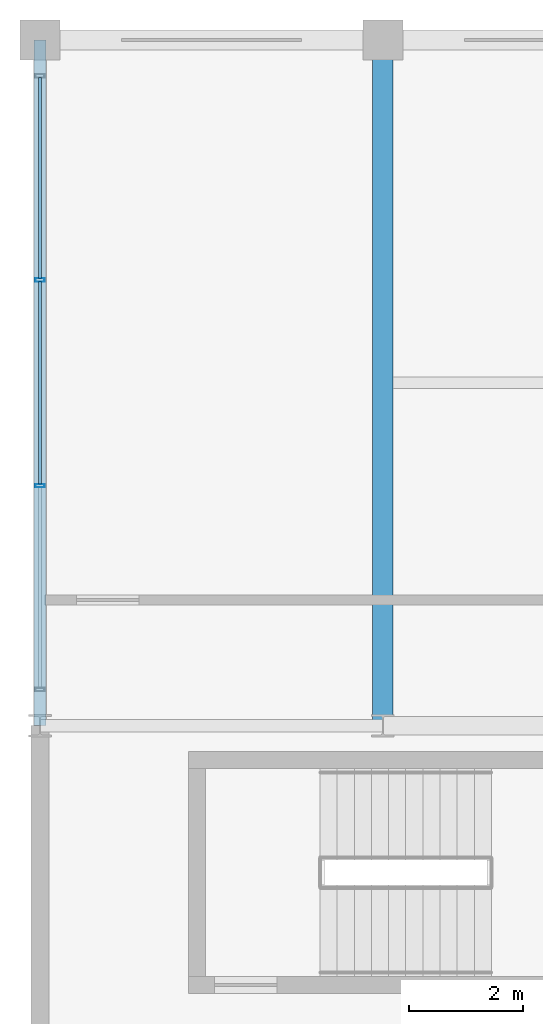
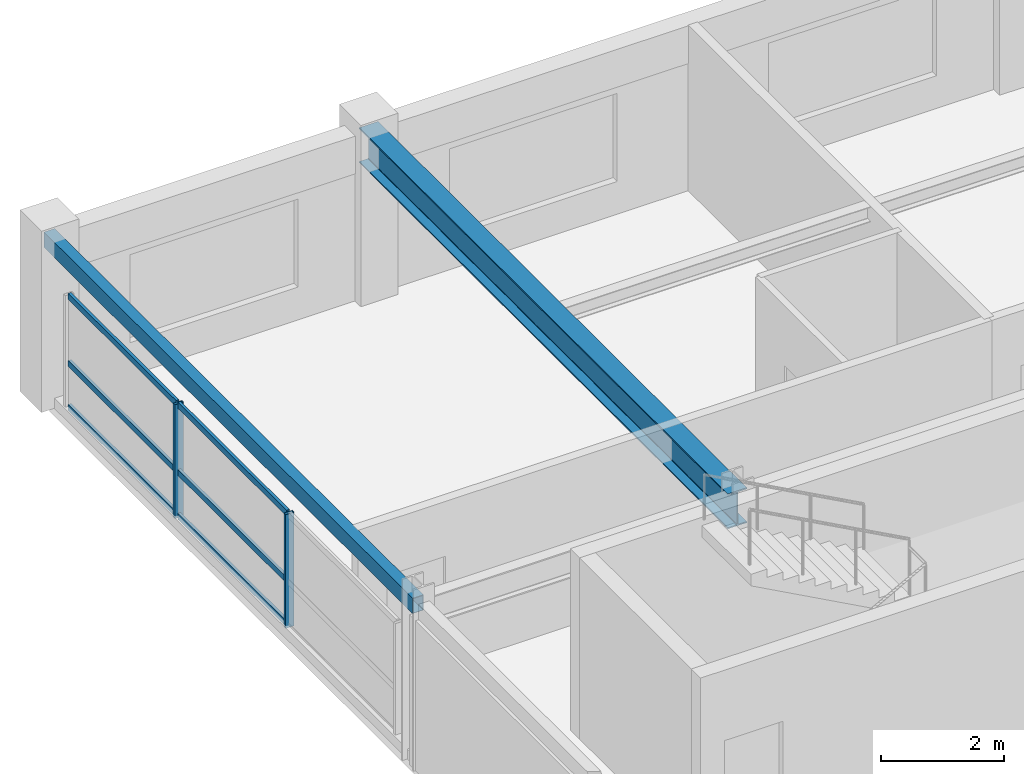
# One storey, part 8 of 22: 8 members, 2 beams, 1 element without a shape of its own.
"""IFC4 building model written with IfcOpenShell, lengths in metres."""

from ifc_helpers import new_model, si_unit, direction, frame, origin, origin_2d, place, context, subcontext, project, spatial, hollow_rectangle, i_section, extrude, material, material_profile, profile_set, type_object, element, aggregate, save


model = new_model("IFC4")

# Units and contexts
model_context = context("Model", 3, precision=1e-05, world=origin(), true_north=direction((0.0, 1.0)))
body_context = subcontext(model_context, "Body", "Model", "MODEL_VIEW")
ifc_project = project(units=[si_unit("LENGTHUNIT", "METRE"), si_unit("AREAUNIT", "SQUARE_METRE"), si_unit("VOLUMEUNIT", "CUBIC_METRE"), si_unit("PLANEANGLEUNIT", "RADIAN"), si_unit("MASSUNIT", "GRAM", prefix="KILO")], contexts=[model_context])

# Site, building, storey
site_placement = place(None, origin())
site = spatial("IfcSite", under=ifc_project, at=site_placement, CompositionType="ELEMENT")
building_placement = place(site_placement, origin())
building = spatial("IfcBuilding", under=site, at=building_placement, Name="Kaldorvane Square Convention Centre", CompositionType="ELEMENT")
storey_placement = place(building_placement, frame((0.0, 0.0, 63.600006103515625)))
storey = spatial("IfcBuildingStorey", under=building, at=storey_placement, Name="L15", CompositionType="ELEMENT", Elevation=63.600006103515625)

# Beams
ifc_material_1 = material(Name="Steel ASTM A992 Gr. 50", Category="steel")
ifc_material_profile_1 = material_profile(ifc_material_1, i_section(OverallWidth=0.354705810546875, OverallDepth=0.69549560546875, WebThickness=0.0153961181640625, FlangeThickness=0.0251007080078125, FilletRadius=0.01519775390625, at=origin_2d()), Name="W27X146")
ifc_profile_set_1 = profile_set([ifc_material_profile_1], Name="Steel ASTM A992 Gr. 50")
beam_type_1 = type_object("IfcBeamType", Name="BM-GR-W27X146", PredefinedType="BEAM", material=ifc_profile_set_1)
beam_1_placement = place(storey_placement, frame((42.0, 105.0, 2.9381866455078125), z_axis=(0.0, 1.0, 0.0), x_axis=(-1.0, 0.0, 0.0)))
element("IfcBeam", 1, at=beam_1_placement, inside=storey, type_object=beam_type_1, Name="Transverse Girder (L15)", PredefinedType="BEAM", context=body_context, shape_type="SweptSolid", body=[
    extrude(i_section(OverallWidth=0.354705810546875, OverallDepth=0.69549560546875, WebThickness=0.0153961181640625, FlangeThickness=0.0251007080078125, FilletRadius=0.01519775390625, at=origin_2d()), origin(), (0.0, 0.0, 1.0), 12.0),
])
ifc_material_2 = material(Name="Steel ASTM A500 Gr. C", Category="steel")
ifc_material_profile_2 = material_profile(ifc_material_2, hollow_rectangle(XDim=0.2032012939453125, YDim=0.3047943115234375, WallThickness=0.0088958740234375, at=origin_2d()), Name="HSS12X8X3/8")
ifc_profile_set_2 = profile_set([ifc_material_profile_2], Name="Steel ASTM A500 Gr. C")
beam_type_2 = type_object("IfcBeamType", Name="BM-SP-HSS12", PredefinedType="SPANDREL", material=ifc_profile_set_2)
beam_2_placement = place(storey_placement, frame((36.0, 105.0, 3.1335906982421875), z_axis=(0.0, 1.0, 0.0), x_axis=(-1.0, 0.0, 0.0)))
element("IfcBeam", 2, at=beam_2_placement, inside=storey, type_object=beam_type_2, Name="End Spandrel (L15)", PredefinedType="SPANDREL", context=body_context, shape_type="SweptSolid", body=[
    extrude(hollow_rectangle(XDim=0.2032012939453125, YDim=0.3047943115234375, WallThickness=0.0088958740234375, at=origin_2d()), origin(), (0.0, 0.0, 1.0), 12.0),
])

# Curtain wall, members
ifc_material_3 = material(Name="Anodized Aluminum and Low-E Insulated Glazing", Category="aluminium")
curtain_wall_type = type_object("IfcCurtainWallType", Name="CW-UNI-HTL-B", PredefinedType="USERDEFINED", material=ifc_material_3)
curtain_wall_placement = place(storey_placement, origin())
curtain_wall = element("IfcCurtainWall", 3, at=curtain_wall_placement, inside=storey, type_object=curtain_wall_type, Name="Curtain Wall CW-11 (L15)", ObjectType="UNITISED GLAZING", PredefinedType="USERDEFINED")
ifc_material_profile_3 = material_profile(ifc_material_3, hollow_rectangle(XDim=0.05999755859375, YDim=0.160003662109375, WallThickness=0.003204345703125, at=origin_2d()), Name="CWM-160X60")
ifc_profile_set_3 = profile_set([ifc_material_profile_3], Name="Anodized Aluminum and Low-E Insulated Glazing")
member_type_1 = type_object("IfcMemberType", Name="CW-MUL-160", PredefinedType="MULLION", material=ifc_profile_set_3)
member_1_placement = place(storey_placement, frame((36.0, 112.80000305175781, 0.149993896484375), z_axis=(0.0, 0.0, 1.0), x_axis=(0.0, -1.0, 0.0)))
member_1 = element("IfcMember", 4, at=member_1_placement, type_object=member_type_1, Name="CW-11 mullion 2", PredefinedType="MULLION", context=body_context, shape_type="SweptSolid", body=[
    extrude(hollow_rectangle(XDim=0.05999755859375, YDim=0.160003662109375, WallThickness=0.003204345703125, at=origin_2d()), origin(), (0.0, 0.0, 1.0), 2.2599945068359375),
])
member_2_placement = place(storey_placement, frame((36.0, 109.19999694824219, 0.149993896484375), z_axis=(0.0, 0.0, 1.0), x_axis=(0.0, -1.0, 0.0)))
member_2 = element("IfcMember", 5, at=member_2_placement, type_object=member_type_1, Name="CW-11 mullion 3", PredefinedType="MULLION", context=body_context, shape_type="SweptSolid", body=[
    extrude(hollow_rectangle(XDim=0.05999755859375, YDim=0.160003662109375, WallThickness=0.003204345703125, at=origin_2d()), origin(), (0.0, 0.0, 1.0), 2.2599945068359375),
])
ifc_material_profile_4 = material_profile(ifc_material_3, hollow_rectangle(XDim=0.05499267578125, YDim=0.1199951171875, WallThickness=0.0030059814453125, at=origin_2d()), Name="CWT-120X55")
ifc_profile_set_4 = profile_set([ifc_material_profile_4], Name="Anodized Aluminum and Low-E Insulated Glazing")
member_type_2 = type_object("IfcMemberType", Name="CW-TRN-120", PredefinedType="USERDEFINED", material=ifc_profile_set_4)
member_3_placement = place(storey_placement, frame((36.0, 116.33999633789062, 0.177490234375), z_axis=(0.0, -1.0, 0.0), x_axis=(1.0, 0.0, 0.0)))
member_3 = element("IfcMember", 6, at=member_3_placement, type_object=member_type_2, Name="CW-11 transom 1.1", ObjectType="TRANSOM", PredefinedType="USERDEFINED", context=body_context, shape_type="SweptSolid", body=[
    extrude(hollow_rectangle(XDim=0.05499267578125, YDim=0.1199951171875, WallThickness=0.0030059814453125, at=origin_2d()), origin(), (0.0, 0.0, 1.0), 3.5099945068359375),
])
member_4_placement = place(storey_placement, frame((36.0, 116.33999633789062, 1.04998779296875), z_axis=(0.0, -1.0, 0.0), x_axis=(1.0, 0.0, 0.0)))
member_4 = element("IfcMember", 7, at=member_4_placement, type_object=member_type_2, Name="CW-11 transom 1.2", ObjectType="TRANSOM", PredefinedType="USERDEFINED", context=body_context, shape_type="SweptSolid", body=[
    extrude(hollow_rectangle(XDim=0.05499267578125, YDim=0.1199951171875, WallThickness=0.0030059814453125, at=origin_2d()), origin(), (0.0, 0.0, 1.0), 3.5099945068359375),
])
member_5_placement = place(storey_placement, frame((36.0, 116.33999633789062, 2.3824920654296875), z_axis=(0.0, -1.0, 0.0), x_axis=(1.0, 0.0, 0.0)))
member_5 = element("IfcMember", 8, at=member_5_placement, type_object=member_type_2, Name="CW-11 transom 1.3", ObjectType="TRANSOM", PredefinedType="USERDEFINED", context=body_context, shape_type="SweptSolid", body=[
    extrude(hollow_rectangle(XDim=0.05499267578125, YDim=0.1199951171875, WallThickness=0.0030059814453125, at=origin_2d()), origin(), (0.0, 0.0, 1.0), 3.5099945068359375),
])
member_6_placement = place(storey_placement, frame((36.0, 112.77000427246094, 0.177490234375), z_axis=(0.0, -1.0, 0.0), x_axis=(1.0, 0.0, 0.0)))
member_6 = element("IfcMember", 9, at=member_6_placement, type_object=member_type_2, Name="CW-11 transom 2.1", ObjectType="TRANSOM", PredefinedType="USERDEFINED", context=body_context, shape_type="SweptSolid", body=[
    extrude(hollow_rectangle(XDim=0.05499267578125, YDim=0.1199951171875, WallThickness=0.0030059814453125, at=origin_2d()), origin(), (0.0, 0.0, 1.0), 3.540008544921875),
])
member_7_placement = place(storey_placement, frame((36.0, 112.77000427246094, 1.04998779296875), z_axis=(0.0, -1.0, 0.0), x_axis=(1.0, 0.0, 0.0)))
member_7 = element("IfcMember", 10, at=member_7_placement, type_object=member_type_2, Name="CW-11 transom 2.2", ObjectType="TRANSOM", PredefinedType="USERDEFINED", context=body_context, shape_type="SweptSolid", body=[
    extrude(hollow_rectangle(XDim=0.05499267578125, YDim=0.1199951171875, WallThickness=0.0030059814453125, at=origin_2d()), origin(), (0.0, 0.0, 1.0), 3.540008544921875),
])
member_8_placement = place(storey_placement, frame((36.0, 112.77000427246094, 2.3824920654296875), z_axis=(0.0, -1.0, 0.0), x_axis=(1.0, 0.0, 0.0)))
member_8 = element("IfcMember", 11, at=member_8_placement, type_object=member_type_2, Name="CW-11 transom 2.3", ObjectType="TRANSOM", PredefinedType="USERDEFINED", context=body_context, shape_type="SweptSolid", body=[
    extrude(hollow_rectangle(XDim=0.05499267578125, YDim=0.1199951171875, WallThickness=0.0030059814453125, at=origin_2d()), origin(), (0.0, 0.0, 1.0), 3.540008544921875),
])
aggregate(curtain_wall, [member_1, member_2, member_3, member_4, member_5, member_6, member_7, member_8])

save(model, "model.ifc")
